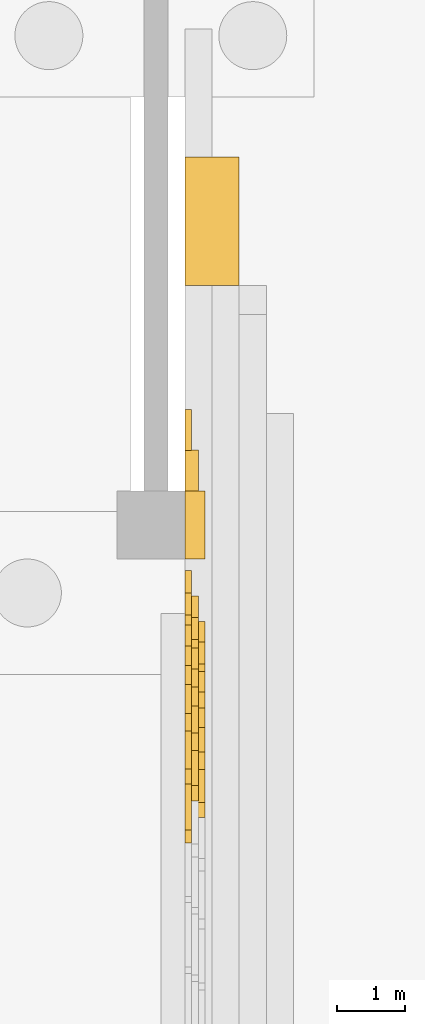
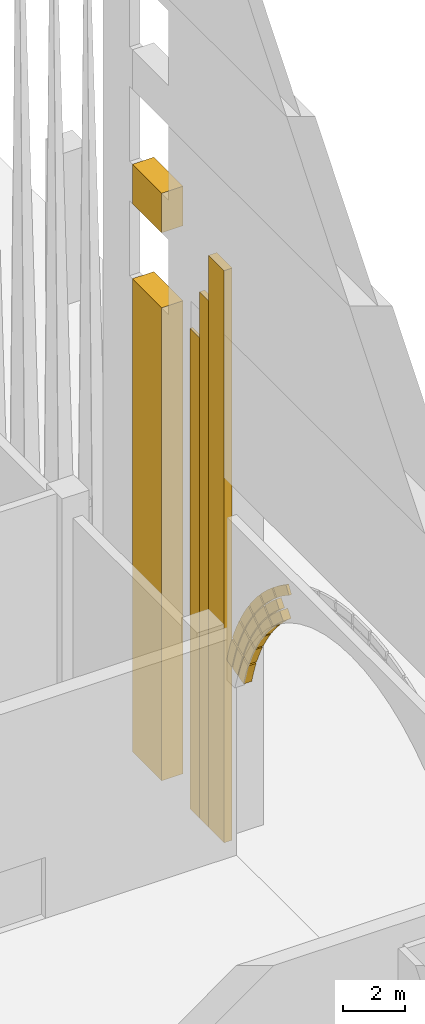
# One storey, part 27 of 32: 21 coverings.
"""IFC4 building model written with IfcOpenShell, lengths in metres."""

import ifcopenshell
import ifcopenshell.guid

model = None  # the IFC model being written
_history = None  # IfcOwnerHistory: only IFC2X3 demands one
_inside = {}  # id of a spatial element -> (the spatial element, [elements in it])
_under = {}  # id of a project, library or spatial element -> (it, [spatial elements below it])
_declared = {}  # id of a project -> (the project, [libraries it declares])
_typed = {}  # id of a type object -> (the type object, [elements of that type])
_made_of = {}  # id of a material, layer set ... -> (it, [elements and type objects made of it])


def new_model(schema):
    """Start an empty IFC model of exactly this schema.

    Asked for "IFC4X3", IfcOpenShell would pick the latest addendum, in which some entities
    have other attributes; the version numbers below select the first issue.
    IFC2X3 requires an IfcOwnerHistory on every rooted entity: one is made here for all.
    """
    global model, _history
    if schema == "IFC4X3":
        model = ifcopenshell.file(schema_version=(4, 3, 0, 0))
    else:
        model = ifcopenshell.file(schema=schema)
    _inside.clear()
    _under.clear()
    _declared.clear()
    _typed.clear()
    _made_of.clear()
    _history = None
    if model.schema == "IFC2X3":
        org = make("IfcOrganization", Name="unknown")
        user = make(
            "IfcPersonAndOrganization",
            ThePerson=make("IfcPerson", FamilyName="unknown"),
            TheOrganization=org,
        )
        app = make(
            "IfcApplication",
            ApplicationDeveloper=org,
            Version="unknown",
            ApplicationFullName="unknown",
            ApplicationIdentifier="unknown",
        )
        _history = make(
            "IfcOwnerHistory",
            OwningUser=user,
            OwningApplication=app,
            ChangeAction="ADDED",
            CreationDate=0,
        )
    return model


def make(cls, **values):
    """One entity of the class cls with the attributes given. An attribute that is None is left unset."""
    return model.create_entity(
        cls, **{name: value for name, value in values.items() if value is not None}
    )


def rooted(cls, **values):
    """An entity with a GlobalId (a new one), such as an element, a storey or a relation."""
    return make(cls, GlobalId=ifcopenshell.guid.new(), OwnerHistory=_history, **values)


def si_unit(unit_type, name, prefix=None):
    """IfcSIUnit, for example si_unit("LENGTHUNIT", "METRE", prefix="MILLI")."""
    return make("IfcSIUnit", UnitType=unit_type, Prefix=prefix, Name=name)


def assignment(units):
    """IfcUnitAssignment: the units of a project."""
    return None if units is None else make("IfcUnitAssignment", Units=units)


def point(xyz):
    """IfcCartesianPoint."""
    return None if xyz is None else make("IfcCartesianPoint", Coordinates=xyz)


def direction(xyz):
    """IfcDirection."""
    return None if xyz is None else make("IfcDirection", DirectionRatios=xyz)


def frame(location, z_axis=None, x_axis=None):
    """IfcAxis2Placement3D, a coordinate frame: its origin and axes. An axis left out is left unset."""
    return make(
        "IfcAxis2Placement3D",
        Location=point(location),
        Axis=direction(z_axis),
        RefDirection=direction(x_axis),
    )


def frame_2d(location, x_axis=None):
    """IfcAxis2Placement2D, a coordinate frame in the plane: its origin and x axis."""
    return make(
        "IfcAxis2Placement2D", Location=point(location), RefDirection=direction(x_axis)
    )


def origin():
    """The frame at (0, 0, 0) with its axes left unset."""
    return frame((0.0, 0.0, 0.0))


def origin_2d():
    """The frame at (0, 0) in the plane with its x axis left unset."""
    return frame_2d((0.0, 0.0))


def place(relative_to, where):
    """IfcLocalPlacement: puts the frame where relative to a parent placement (None: the world)."""
    return make(
        "IfcLocalPlacement", PlacementRelTo=relative_to, RelativePlacement=where
    )


def context(
    kind, dimensions, precision=None, world=None, true_north=None, identifier=None
):
    """IfcGeometricRepresentationContext, for example the 3D "Model" context."""
    return make(
        "IfcGeometricRepresentationContext",
        ContextIdentifier=identifier,
        ContextType=kind,
        CoordinateSpaceDimension=dimensions,
        Precision=precision,
        WorldCoordinateSystem=world,
        TrueNorth=true_north,
    )


def subcontext(parent, identifier, kind, view, scale=None):
    """IfcGeometricRepresentationSubContext, for example "Body" below "Model"."""
    return make(
        "IfcGeometricRepresentationSubContext",
        ContextIdentifier=identifier,
        ContextType=kind,
        ParentContext=parent,
        TargetScale=scale,
        TargetView=view,
    )


def project(units=None, contexts=None):
    """IfcProject with its units and contexts."""
    return rooted(
        "IfcProject",
        Name="project",
        RepresentationContexts=contexts,
        UnitsInContext=assignment(units),
    )


def spatial(cls, under=None, at=None, **own):
    """A site, building, storey or space (cls), placed at a placement, below another one or the project."""
    s = rooted(cls, ObjectPlacement=at, **own)
    if under is not None:
        _under.setdefault(under.id(), (under, []))[1].append(s)
    return s


def polyline(points):
    """IfcPolyline through the points."""
    return make("IfcPolyline", Points=[point(p) for p in points])


def profile(cls, at=None, kind="AREA", **sizes):
    """A parametric profile (cls). Its sizes go by their IFC names, for example OverallWidth=200.0."""
    return make(cls, ProfileType=kind, Position=at, **sizes)


def rectangle(**sizes):
    """IfcRectangleProfileDef."""
    return profile("IfcRectangleProfileDef", **sizes)


def outline(outer, holes=None, kind="AREA"):
    """IfcArbitraryClosedProfileDef: a profile drawn as a closed curve; with holes, ...WithVoids."""
    if holes is None:
        return make("IfcArbitraryClosedProfileDef", ProfileType=kind, OuterCurve=outer)
    return make(
        "IfcArbitraryProfileDefWithVoids",
        ProfileType=kind,
        OuterCurve=outer,
        InnerCurves=holes,
    )


def extrude(swept, where, along, depth):
    """IfcExtrudedAreaSolid: the profile swept, set in the frame where, extruded along a direction by depth."""
    return make(
        "IfcExtrudedAreaSolid",
        SweptArea=swept,
        Position=where,
        ExtrudedDirection=direction(along),
        Depth=depth,
    )


def shape(context_of_items, identifier, shape_type, items):
    """IfcShapeRepresentation: the items that make up one representation, for example the "Body"."""
    return make(
        "IfcShapeRepresentation",
        ContextOfItems=context_of_items,
        RepresentationIdentifier=identifier,
        RepresentationType=shape_type,
        Items=items,
    )


def material(Name=None, Category=None):
    """IfcMaterial."""
    return make("IfcMaterial", Name=Name, Category=Category)


def made_of(thing, what):
    """Note that an element or type object is made of a material, layer set ...; save() writes the relation."""
    if what is not None:
        _made_of.setdefault(what.id(), (what, []))[1].append(thing)
    return thing


def type_object(cls, material=None, **own):
    """A type object (cls), such as IfcWallType, which elements share."""
    return made_of(rooted(cls, **own), material)


def element(
    cls,
    number,
    at=None,
    inside=None,
    cuts=None,
    type_object=None,
    material=None,
    context=None,
    identifier="Body",
    shape_type=None,
    held_by="IfcProductDefinitionShape",
    body=None,
    shapes=None,
    **own,
):
    """One element of the class cls, such as IfcWall. Its Tag is "e" and its number.

    at: its placement. inside: the storey or other place that contains it. cuts: it is an
    opening in that element (IfcRelVoidsElement). A single representation is given by context,
    identifier, shape_type and body (its items); several are given by shapes. held_by: the class
    of the entity that holds the representations. save() writes the other relations.
    """
    e = rooted(cls, Tag="e%d" % number, ObjectPlacement=at, **own)
    if body is not None:
        shapes = [shape(context, identifier, shape_type, body)]
    if shapes is not None:
        e.Representation = make(held_by, Representations=shapes)
    if inside is not None:
        _inside.setdefault(inside.id(), (inside, []))[1].append(e)
    if cuts is not None:
        rooted(
            "IfcRelVoidsElement", RelatingBuildingElement=cuts, RelatedOpeningElement=e
        )
    if type_object is not None:
        _typed.setdefault(type_object.id(), (type_object, []))[1].append(e)
    return made_of(e, material)


def aggregate(whole, parts):
    """IfcRelAggregates: a whole, such as a stair, and the parts it consists of."""
    return rooted("IfcRelAggregates", RelatingObject=whole, RelatedObjects=parts)


def save(model, path):
    """Write the relations noted so far, then the file.

    IfcRelAggregates (storeys below a building ...), IfcRelContainedInSpatialStructure (elements
    in a storey), IfcRelDefinesByType, IfcRelAssociatesMaterial and IfcRelDeclares: one each for
    every whole, place, type object, material and project.
    """
    for whole, parts in _under.values():
        aggregate(whole, parts)
    for where, things in _inside.values():
        rooted(
            "IfcRelContainedInSpatialStructure",
            RelatedElements=things,
            RelatingStructure=where,
        )
    for kind, things in _typed.values():
        rooted("IfcRelDefinesByType", RelatedObjects=things, RelatingType=kind)
    for what, things in _made_of.values():
        rooted("IfcRelAssociatesMaterial", RelatedObjects=things, RelatingMaterial=what)
    for by, libraries in _declared.values():
        rooted("IfcRelDeclares", RelatingContext=by, RelatedDefinitions=libraries)
    model.write(path)


model = new_model("IFC4")

# Units and contexts
model_context = context("Model", 3, precision=1e-05, world=origin(), true_north=direction((0.0, 1.0)))
body_context = subcontext(model_context, "Body", "Model", "MODEL_VIEW")
ifc_project = project(units=[si_unit("LENGTHUNIT", "METRE"), si_unit("AREAUNIT", "SQUARE_METRE"), si_unit("VOLUMEUNIT", "CUBIC_METRE"), si_unit("PLANEANGLEUNIT", "RADIAN"), si_unit("MASSUNIT", "GRAM", prefix="KILO")], contexts=[model_context])

# Site, building, storey
site_placement = place(None, origin())
site = spatial("IfcSite", under=ifc_project, at=site_placement, CompositionType="ELEMENT")
building_placement = place(site_placement, origin())
building = spatial("IfcBuilding", under=site, at=building_placement, Name="Isthmus Gate Tower", CompositionType="ELEMENT")
storey_placement = place(building_placement, origin())
storey = spatial("IfcBuildingStorey", under=building, at=storey_placement, Name="L00", CompositionType="ELEMENT", Elevation=0.0)

# Coverings
ifc_material_1 = material(Name="Precast concrete C50/60, limestone-faced", Category="masonry")
covering_type_1 = type_object("IfcCoveringType", Name="ARCHIVOLT BAND 350 X 100", PredefinedType="CLADDING", material=ifc_material_1)
covering_1_placement = place(storey_placement, frame((52.10009765625, -13.376220703125, 12.265380859375), z_axis=(1.0, 0.0, 0.0), x_axis=(0.0, 0.834351753412, -0.551232393441)))
element("IfcCovering", 1, at=covering_1_placement, inside=storey, type_object=covering_type_1, Name="ARCHIVOLT BAND", PredefinedType="CLADDING", context=body_context, shape_type="SweptSolid", body=[
    extrude(outline(polyline([(0.0, 0.0), (0.24403769803013015, 0.0), (0.48804608682881456, -0.007042031342026023), (0.7316868890164505, -0.02105697308858523), (0.9749601045930381, -0.042044825239677674), (1.009860560424225, 0.30639650734124413), (0.7568390944687896, 0.3279666362237249), (0.503111764522703, 0.3426329756391654), (0.24928600440767779, 0.34991900633297707), (-0.0047727640973408425, 0.35002842746370777), (0.0, 0.0)])), origin(), (0.0, 0.0, -1.0), 0.10009765625),
])
covering_2_placement = place(storey_placement, frame((52.10009765625, -12.51025390625, 11.630615234375), z_axis=(1.0, 0.0, 0.0), x_axis=(0.0, 0.758620425901, -0.651532845991)))
element("IfcCovering", 2, at=covering_2_placement, inside=storey, type_object=covering_type_1, Name="ARCHIVOLT BAND", PredefinedType="CLADDING", context=body_context, shape_type="SweptSolid", body=[
    extrude(outline(polyline([(0.0, 0.0), (0.24394095839194957, 0.0), (0.4880475796124135, -0.006937802880290278), (0.731790377895329, -0.02094632984841044), (0.9750102876044675, -0.0418403708394432), (1.0097833551224513, 0.30662772383369347), (0.7565794500800894, 0.3282799532567027), (0.5031707877364076, 0.3426762485269648), (0.24905402675403152, 0.350027964138086), (-0.005108425893436269, 0.34993853553154286), (0.0, 0.0)])), origin(), (0.0, 0.0, -1.0), 0.10009765625),
])
covering_3_placement = place(storey_placement, frame((52.10009765625, -11.73046875, 10.892333984375), z_axis=(1.0, 0.0, 0.0), x_axis=(0.0, 0.671227584733, -0.741251326807)))
element("IfcCovering", 3, at=covering_3_placement, inside=storey, type_object=covering_type_1, Name="ARCHIVOLT BAND", PredefinedType="CLADDING", context=body_context, shape_type="SweptSolid", body=[
    extrude(outline(polyline([(0.0, 0.0), (0.24405784729492497, 0.0), (0.4881127639086806, -0.006913965325409971), (0.7316560324349499, -0.020939961178593314), (0.9750154007178413, -0.04171604843513249), (1.009775965844331, 0.3065624383815664), (0.7566925974414636, 0.328239221650826), (0.502933707029056, 0.3426230048301034), (0.24900801201342498, 0.3499118531217622), (-0.005084487605429511, 0.3501057665258023), (0.0, 0.0)])), origin(), (0.0, 0.0, -1.0), 0.10009765625),
])
covering_4_placement = place(storey_placement, frame((52.10009765625, -11.04931640625, 10.0625), z_axis=(1.0, 0.0, 0.0), x_axis=(0.0, 0.573931993088, -0.818902965747)))
element("IfcCovering", 4, at=covering_4_placement, inside=storey, type_object=covering_type_1, Name="ARCHIVOLT BAND", PredefinedType="CLADDING", context=body_context, shape_type="SweptSolid", body=[
    extrude(outline(polyline([(0.0, 0.0), (0.24416955395012377, -1.3877787807814457e-17), (0.48803494472269876, -0.007240108894798675), (0.7318764125487249, -0.0213204717206521), (0.9750138622334584, -0.04236070321030416), (1.01001484181622, 0.3057728500951288), (0.7570775279559684, 0.32771873598984175), (0.503496003320796, 0.34236470562338417), (0.24941038802620294, 0.349910686477628), (-0.004779462964066977, 0.3500764383215731), (0.0, 0.0)])), origin(), (0.0, 0.0, -1.0), 0.10009765625),
])
covering_5_placement = place(storey_placement, frame((52.10009765625, -10.47705078125, 9.154052734375), z_axis=(1.0, 0.0, 0.0), x_axis=(0.0, 0.465911252359, -0.88483145566)))
element("IfcCovering", 5, at=covering_5_placement, inside=storey, type_object=covering_type_1, Name="ARCHIVOLT BAND", PredefinedType="CLADDING", context=body_context, shape_type="SweptSolid", body=[
    extrude(outline(polyline([(0.0, 0.0), (0.24418712935994405, 0.0), (0.48812284176650655, -0.006765556987257421), (0.7319094126599467, -0.020626442130722233), (0.9751147954310554, -0.04135515970170345), (1.0098491459642929, 0.30704991099985246), (0.7566149117886867, 0.3286446745422877), (0.5031177882356126, 0.34292808662391105), (0.24914175200046615, 0.350013895109068), (-0.004983425747802694, 0.35000437543801766), (0.0, 0.0)])), origin(), (0.0, 0.0, -1.0), 0.10009765625),
])
covering_6_placement = place(storey_placement, frame((52.10009765625, -10.02294921875, 8.180908203125), z_axis=(1.0, 0.0, 0.0), x_axis=(0.0, 0.351436540601, -0.936211705722)))
element("IfcCovering", 6, at=covering_6_placement, inside=storey, type_object=covering_type_1, Name="ARCHIVOLT BAND", PredefinedType="CLADDING", context=body_context, shape_type="SweptSolid", body=[
    extrude(outline(polyline([(0.0, 0.0), (0.2563418433120691, 0.0), (0.5126239289446687, -0.0078008186323884066), (0.7683891222758643, -0.023230856023824686), (1.0237232232423266, -0.046061544863341575), (1.0604435034558253, 0.30184929264943433), (0.794651576062039, 0.3259979057194313), (0.5283139238678052, 0.34174579816080886), (0.2614593793721674, 0.34986447184313835), (-0.005312155428643051, 0.34986795964544204), (0.0, 0.0)])), origin(), (0.0, 0.0, -1.0), 0.10009765625),
])
ifc_material_2 = material(Name="Precast concrete C50/60, limestone-faced", Category="masonry")
covering_type_2 = type_object("IfcCoveringType", Name="ARCHIVOLT BAND 350 X 200", PredefinedType="CLADDING", material=ifc_material_2)
covering_7_placement = place(storey_placement, frame((52.199951171875, -12.758544921875, 11.329833984375), z_axis=(1.0, 0.0, 0.0), x_axis=(0.0, 0.758736380769, -0.651397808177)))
element("IfcCovering", 7, at=covering_7_placement, inside=storey, type_object=covering_type_2, Name="ARCHIVOLT BAND", PredefinedType="CLADDING", context=body_context, shape_type="SweptSolid", body=[
    extrude(outline(polyline([(0.0, 0.0), (0.2319980893056391, 0.0), (0.464001573903731, -0.006752593882649344), (0.6953481174160283, -0.019861099193326737), (0.9263557851785554, -0.03969599268045443), (0.9611646705715711, 0.30842163614278234), (0.7203583809587848, 0.3291755277776951), (0.4788427388478059, 0.3428849659001336), (0.23698822098705669, 0.3498680158461218), (-0.004701868913227741, 0.34991323353524967), (0.0, 0.0)])), origin(), (0.0, 0.0, -1.0), 0.199951171875),
])
covering_8_placement = place(storey_placement, frame((52.199951171875, -12.014404296875, 10.625), z_axis=(1.0, 0.0, 0.0), x_axis=(0.0, 0.671519424739, -0.740986951436)))
element("IfcCovering", 8, at=covering_8_placement, inside=storey, type_object=covering_type_2, Name="ARCHIVOLT BAND", PredefinedType="CLADDING", context=body_context, shape_type="SweptSolid", body=[
    extrude(outline(polyline([(0.0, 0.0), (0.23195415204939557, 0.0), (0.4637217457995557, -0.006750018463245883), (0.6953027812504804, -0.02025005538973762), (0.9261545433498484, -0.04000827526330908), (0.9610522518704654, 0.30825649643669), (0.7202959400662341, 0.32908318656951907), (0.47884427460121626, 0.34296199337627664), (0.23722301068234794, 0.3497459315302926), (-0.004765716553196214, 0.34994379639311807), (0.0, 0.0)])), origin(), (0.0, 0.0, -1.0), 0.199951171875),
])
covering_9_placement = place(storey_placement, frame((52.199951171875, -11.3642578125, 9.832763671875), z_axis=(1.0, 0.0, 0.0), x_axis=(0.0, 0.572543721638, -0.819874189625)))
element("IfcCovering", 9, at=covering_9_placement, inside=storey, type_object=covering_type_2, Name="ARCHIVOLT BAND", PredefinedType="CLADDING", context=body_context, shape_type="SweptSolid", body=[
    extrude(outline(polyline([(0.0, 0.0), (0.2319691841525353, -1.3877787807814457e-17), (0.4636654866592489, -0.006360557684247453), (0.6952890721172171, -0.019221454234782942), (0.9263602135652826, -0.0388432376637185), (0.9607713085653675, 0.30934911729215175), (0.7198987825788187, 0.32985995015097724), (0.4785341959974028, 0.3432699503522858), (0.23675694658812482, 0.3501192282722705), (-0.005172417636903154, 0.3499280569497739), (0.0, 0.0)])), origin(), (0.0, 0.0, -1.0), 0.199951171875),
])
covering_10_placement = place(storey_placement, frame((52.199951171875, -10.818359375, 8.96533203125), z_axis=(1.0, 0.0, 0.0), x_axis=(0.0, 0.466049919926, -0.884758425864)))
element("IfcCovering", 10, at=covering_10_placement, inside=storey, type_object=covering_type_2, Name="ARCHIVOLT BAND", PredefinedType="CLADDING", context=body_context, shape_type="SweptSolid", body=[
    extrude(outline(polyline([(0.0, 0.0), (0.23206590592740825, 0.0), (0.4636633291122273, -0.006651735782661372), (0.6952358384669854, -0.019636978116587156), (0.9262260833604226, -0.03948996170823871), (0.9610150364954104, 0.308909661048867), (0.7200982998061476, 0.32930047515750416), (0.4784970748992311, 0.34315333520221186), (0.23674559648112242, 0.34991089055173), (-0.004928572010714699, 0.3500051521561874), (0.0, 0.0)])), origin(), (0.0, 0.0, -1.0), 0.199951171875),
])
covering_11_placement = place(storey_placement, frame((52.199951171875, -10.38525390625, 8.036376953125), z_axis=(1.0, 0.0, 0.0), x_axis=(0.0, 0.351123441588, -0.936329177569)))
element("IfcCovering", 11, at=covering_11_placement, inside=storey, type_object=covering_type_2, Name="ARCHIVOLT BAND", PredefinedType="CLADDING", context=body_context, shape_type="SweptSolid", body=[
    extrude(outline(polyline([(0.0, 0.0), (0.24405479448294706, -1.3877787807814457e-17), (0.4879952909705854, -0.0072579227021038195), (0.7318214894629151, -0.02177376810631146), (0.9749904744822195, -0.043604685210277216), (1.0113658114892201, 0.30440413600595184), (0.7578814323933034, 0.32723516056886887), (0.5038827123184977, 0.3424367939449289), (0.24936965126480262, 0.35000903613413165), (-0.005343431280682709, 0.3500947596306132), (0.0, 0.0)])), origin(), (0.0, 0.0, -1.0), 0.199951171875),
])
ifc_material_3 = material(Name="Precast concrete C50/60, limestone-faced", Category="masonry")
covering_type_3 = type_object("IfcCoveringType", Name="ARCHIVOLT BAND 350 X 300", PredefinedType="CLADDING", material=ifc_material_3)
covering_12_placement = place(storey_placement, frame((52.300048828125, -13.006591796875, 11.02880859375), z_axis=(1.0, 0.0, 0.0), x_axis=(0.0, 0.758471018729, -0.651706769758)))
element("IfcCovering", 12, at=covering_12_placement, inside=storey, type_object=covering_type_3, Name="ARCHIVOLT BAND", PredefinedType="CLADDING", context=body_context, shape_type="SweptSolid", body=[
    extrude(outline(polyline([(0.0, 0.0), (0.2195257328738452, 0.0), (0.43927085029249086, -0.006249201340504162), (0.6585467888826524, -0.018695473040569788), (0.8775387222328865, -0.03717970700211143), (0.9120467164616854, 0.3111372433837873), (0.6832557877873813, 0.3305364846670833), (0.4541547883826784, 0.343553482002261), (0.2245585446590201, 0.3500291272912349), (-0.005003488108394627, 0.35009646314161924), (0.0, 0.0)])), origin(), (0.0, 0.0, -1.0), 0.300048828125),
])
covering_13_placement = place(storey_placement, frame((52.300048828125, -12.29833984375, 10.357421875), z_axis=(1.0, 0.0, 0.0), x_axis=(0.0, 0.671233353007, -0.741246103404)))
element("IfcCovering", 13, at=covering_13_placement, inside=storey, type_object=covering_type_3, Name="ARCHIVOLT BAND", PredefinedType="CLADDING", context=body_context, shape_type="SweptSolid", body=[
    extrude(outline(polyline([(0.0, 0.0), (0.2196865469205105, -1.3877787807814457e-17), (0.43933592344324884, -0.0062242780678190834), (0.6586032859509273, -0.01868992716009693), (0.8774886344435457, -0.037396947276833625), (0.9122519098139971, 0.31088126902840785), (0.6834786928804388, 0.3303080925414187), (0.4543234619318206, 0.34349354502997065), (0.22480330992478237, 0.35009278287677603), (-0.0047369195233883665, 0.3501228990384747), (0.0, 0.0)])), origin(), (0.0, 0.0, -1.0), 0.300048828125),
])
covering_14_placement = place(storey_placement, frame((52.300048828125, -11.679443359375, 9.602783203125), z_axis=(1.0, 0.0, 0.0), x_axis=(0.0, 0.573015080001, -0.819544823723)))
element("IfcCovering", 14, at=covering_14_placement, inside=storey, type_object=covering_type_3, Name="ARCHIVOLT BAND", PredefinedType="CLADDING", context=body_context, shape_type="SweptSolid", body=[
    extrude(outline(polyline([(0.0, 0.0), (0.21984859892290481, -1.3877787807814457e-17), (0.43922057454218844, -0.00622050345750047), (0.6587958877483411, -0.01854113452107492), (0.8775545972056273, -0.03714245696786306), (0.9121659078921435, 0.3110300529771081), (0.6834062425622858, 0.3306659570658864), (0.45409024559475425, 0.3435412930664398), (0.22469779369455986, 0.34991633308996084), (-0.004831301064010557, 0.35013105758169466), (0.0, 0.0)])), origin(), (0.0, 0.0, -1.0), 0.300048828125),
])
covering_15_placement = place(storey_placement, frame((52.300048828125, -11.15966796875, 8.776611328125), z_axis=(1.0, 0.0, 0.0), x_axis=(0.0, 0.465792249658, -0.884894106749)))
element("IfcCovering", 15, at=covering_15_placement, inside=storey, type_object=covering_type_3, Name="ARCHIVOLT BAND", PredefinedType="CLADDING", context=body_context, shape_type="SweptSolid", body=[
    extrude(outline(polyline([(0.0, 0.0), (0.21961490761197489, 0.0), (0.439320464586379, -0.006117474937589573), (0.6586731947010287, -0.018670783202377972), (0.8774684583772662, -0.03700040997190096), (0.9120422337698864, 0.3111932903034693), (0.6833317211187172, 0.3306036528849481), (0.45393862419656145, 0.34347586234989924), (0.22452245782588326, 0.3500145582769803), (-0.00503049680426898, 0.3500037020659109), (0.0, 0.0)])), origin(), (0.0, 0.0, -1.0), 0.300048828125),
])
covering_16_placement = place(storey_placement, frame((52.300048828125, -10.74755859375, 7.891845703125), z_axis=(1.0, 0.0, 0.0), x_axis=(0.0, 0.351700358532, -0.936112630942)))
element("IfcCovering", 16, at=covering_16_placement, inside=storey, type_object=covering_type_3, Name="ARCHIVOLT BAND", PredefinedType="CLADDING", context=body_context, shape_type="SweptSolid", body=[
    extrude(outline(polyline([(0.0, 0.0), (0.23185352750410115, 0.0), (0.46358828456643814, -0.007257850891524864), (0.6951474567549117, -0.02123060208365296), (0.9262166366013889, -0.042060932353828184), (0.9628064162677193, 0.3059254076232628), (0.721422460588122, 0.32776220170189363), (0.479691191343972, 0.3424270092343442), (0.23729820106713617, 0.3497771514431707), (-0.0048991521833306045, 0.3500121215379161), (0.0, 0.0)])), origin(), (0.0, 0.0, -1.0), 0.300048828125),
])
ifc_material_4 = material(Name="Precast concrete C50/60, limestone-faced", Category="masonry")
covering_type_4 = type_object("IfcCoveringType", Name="PORTAL RELIEF BAND 1000 X 300", PredefinedType="CLADDING", material=ifc_material_4)
covering_17_placement = place(storey_placement, frame((52.14990234375, -8.699951171875, 0.0), z_axis=(0.0, 0.0, 1.0), x_axis=(1.0, 0.0, 0.0)))
element("IfcCovering", 17, at=covering_17_placement, inside=storey, type_object=covering_type_4, Name="PORTAL RELIEF", PredefinedType="CLADDING", context=body_context, shape_type="SweptSolid", body=[
    extrude(rectangle(XDim=0.300048828125, YDim=1.0, at=origin_2d()), origin(), (0.0, 0.0, 1.0), 22.5),
])
ifc_material_5 = material(Name="Precast concrete C50/60, limestone-faced", Category="masonry")
covering_type_5 = type_object("IfcCoveringType", Name="PORTAL RELIEF BAND 600 X 100", PredefinedType="CLADDING", material=ifc_material_5)
covering_18_placement = place(storey_placement, frame((52.050048828125, -7.300048828125, 0.0), z_axis=(0.0, 0.0, 1.0), x_axis=(1.0, 0.0, 0.0)))
element("IfcCovering", 18, at=covering_18_placement, inside=storey, type_object=covering_type_5, Name="PORTAL RELIEF", PredefinedType="CLADDING", context=body_context, shape_type="SweptSolid", body=[
    extrude(rectangle(XDim=0.10009765625, YDim=0.60009765625, at=origin_2d()), origin(), (0.0, 0.0, 1.0), 18.89990234375),
])
ifc_material_6 = material(Name="Precast concrete C50/60, limestone-faced", Category="masonry")
covering_type_6 = type_object("IfcCoveringType", Name="PORTAL RELIEF BAND 600 X 200", PredefinedType="CLADDING", material=ifc_material_6)
covering_19_placement = place(storey_placement, frame((52.10009765625, -7.89990234375, 0.0), z_axis=(0.0, 0.0, 1.0), x_axis=(1.0, 0.0, 0.0)))
element("IfcCovering", 19, at=covering_19_placement, inside=storey, type_object=covering_type_6, Name="PORTAL RELIEF", PredefinedType="CLADDING", context=body_context, shape_type="SweptSolid", body=[
    extrude(rectangle(XDim=0.199951171875, YDim=0.60009765625, at=origin_2d()), origin(), (0.0, 0.0, 1.0), 20.699951171875),
])
ifc_material_7 = material(Name="Precast concrete C50/60, limestone-faced", Category="masonry")
covering_type_7 = type_object("IfcCoveringType", Name="PORTAL SURROUND BAND 1888 X 800", PredefinedType="CLADDING", material=ifc_material_7)
covering_20_placement = place(storey_placement, frame((52.800048828125, -3.28759765625, 23.10009765625), z_axis=(1.0, 0.0, 0.0), x_axis=(0.0, -1.0, 0.0)))
element("IfcCovering", 20, at=covering_20_placement, inside=storey, type_object=covering_type_7, Name="PORTAL SURROUND BAND", PredefinedType="CLADDING", context=body_context, shape_type="SweptSolid", body=[
    extrude(outline(polyline([(0.0, 0.0), (1.887451171875, 0.0), (1.887451171875, 1.550048828125), (0.0, 1.550048828125), (0.0, 0.0)])), origin(), (0.0, 0.0, -1.0), 0.800048828125),
])
covering_21_placement = place(storey_placement, frame((52.800048828125, -3.28759765625, 18.60009765625), z_axis=(1.0, 0.0, 0.0), x_axis=(0.0, -1.0, 0.0)))
element("IfcCovering", 21, at=covering_21_placement, inside=storey, type_object=covering_type_7, Name="PORTAL SURROUND BAND", PredefinedType="CLADDING", context=body_context, shape_type="SweptSolid", body=[
    extrude(outline(polyline([(0.0, 0.0), (1.887451171875, 0.0), (1.887451171875, 18.60009765625), (0.0, 18.60009765625), (0.0, 0.0)])), origin(), (0.0, 0.0, -1.0), 0.800048828125),
])

save(model, "model.ifc")
